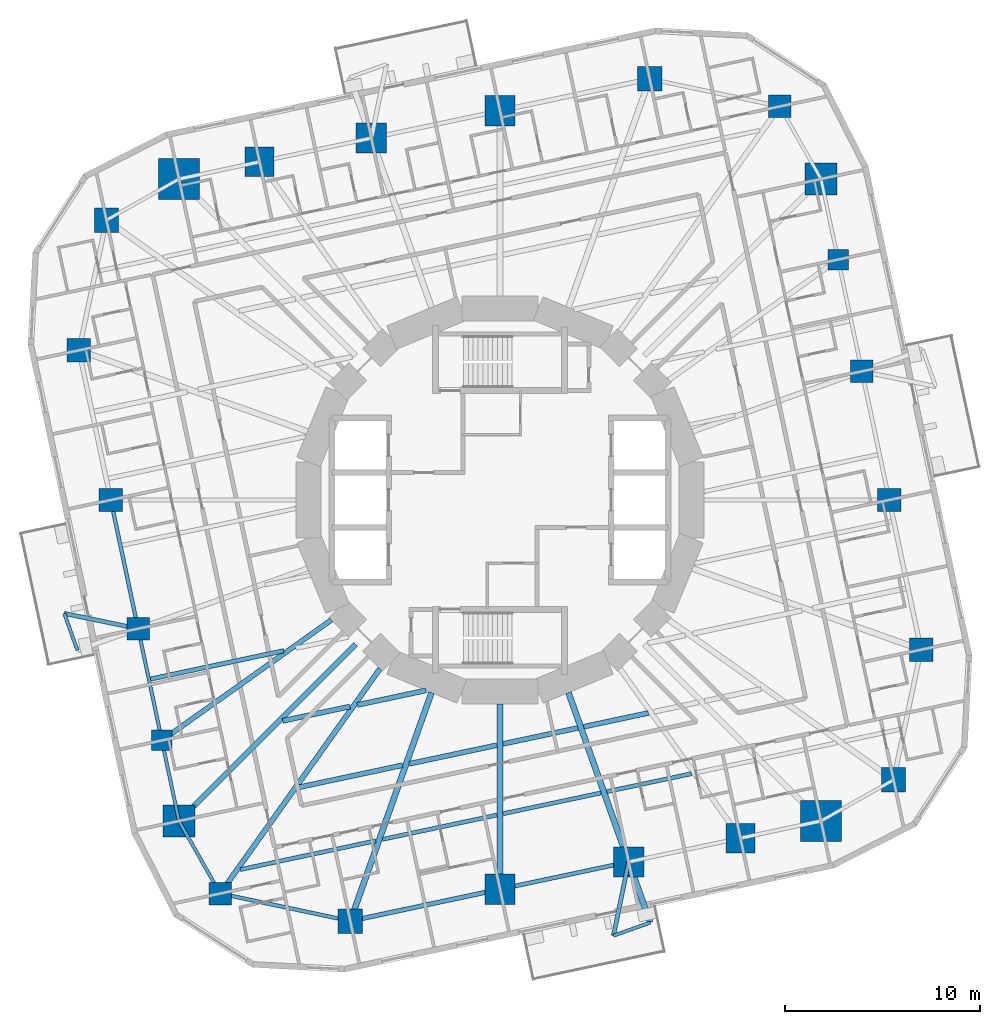
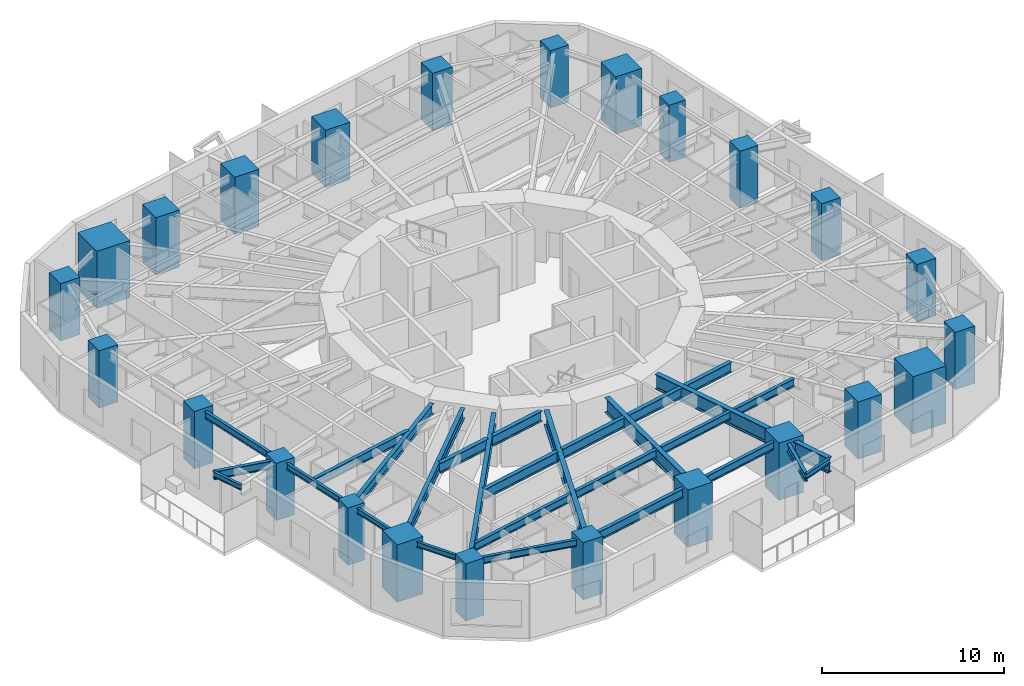
# One storey, part 1 of 14: 28 beams, 24 columns.
"""IFC4 building model written with IfcOpenShell, lengths in metres."""

from ifc_helpers import new_model, si_unit, direction, frame, origin, origin_2d, place, context, subcontext, project, spatial, rectangle, i_section, extrude, material, material_profile, profile_set, type_object, element, save


model = new_model("IFC4")

# Units and contexts
model_context = context("Model", 3, precision=1e-05, world=origin(), true_north=direction((0.0, 1.0)))
body_context = subcontext(model_context, "Body", "Model", "MODEL_VIEW")
ifc_project = project(units=[si_unit("LENGTHUNIT", "METRE"), si_unit("AREAUNIT", "SQUARE_METRE"), si_unit("VOLUMEUNIT", "CUBIC_METRE"), si_unit("PLANEANGLEUNIT", "RADIAN"), si_unit("MASSUNIT", "GRAM", prefix="KILO")], contexts=[model_context])

# Site, building, storey
site_placement = place(None, origin())
site = spatial("IfcSite", under=ifc_project, at=site_placement, CompositionType="ELEMENT")
building_placement = place(site_placement, origin())
building = spatial("IfcBuilding", under=site, at=building_placement, Name="Nakasero Lantern House", CompositionType="ELEMENT")
storey_placement = place(building_placement, frame((0.0, 0.0, 108.85009765625)))
storey = spatial("IfcBuildingStorey", under=building, at=storey_placement, Name="L26", CompositionType="ELEMENT", Elevation=108.85009765625)

# Columns
ifc_material_1 = material(Name="Concrete C50/60", Category="concrete")
ifc_material_profile_1 = material_profile(ifc_material_1, rectangle(XDim=1.64990234375, YDim=1.64990234375, at=origin_2d()), Name="RC 1650x1650")
ifc_profile_set_1 = profile_set([ifc_material_profile_1], Name="Concrete C50/60")
column_type_1 = type_object("IfcColumnType", Name="Mega column RC 1650x1650 C50/60", PredefinedType="COLUMN", material=ifc_profile_set_1)
for number, where, z_axis, x_axis, name in (
    (1, (16.44091796875, 16.44091796875, 0.0), (0.0, 0.0, 1.0), (1.0, 0.0, 0.0), "Column B3-C06 L26"),
    (2, (-16.44091796875, -16.44091796875, 0.0), (0.0, 0.0, 1.0), (1.0, 0.0, 0.0), "Column B3-C18 L26"),
):
    element("IfcColumn", number, at=place(storey_placement, frame(where, z_axis=z_axis, x_axis=x_axis)), inside=storey, type_object=column_type_1, Name=name, PredefinedType="COLUMN", context=body_context, shape_type="SweptSolid", body=[
        extrude(rectangle(XDim=1.64990234375, YDim=1.64990234375, at=origin_2d()), origin(), (0.0, 0.0, 1.0), 3.849853515625),
    ])
ifc_material_2 = material(Name="Concrete C50/60", Category="concrete")
ifc_material_profile_2 = material_profile(ifc_material_2, rectangle(XDim=2.10009765625, YDim=2.10009765625, at=origin_2d()), Name="RC 2100x2100")
ifc_profile_set_2 = profile_set([ifc_material_profile_2], Name="Concrete C50/60")
column_type_2 = type_object("IfcColumnType", Name="Mega column RC 2100x2100 C50/60", PredefinedType="COLUMN", material=ifc_profile_set_2)
for number, where, z_axis, x_axis, name in (
    (3, (-16.44091796875, 16.44091796875, 0.0), (0.0, 0.0, 1.0), (1.0, 0.0, 0.0), "Column B3-C12 L26"),
    (4, (16.44091796875, -16.44091796875, 0.0), (0.0, 0.0, 1.0), (1.0, 0.0, 0.0), "Column B3-C24 L26"),
):
    element("IfcColumn", number, at=place(storey_placement, frame(where, z_axis=z_axis, x_axis=x_axis)), inside=storey, type_object=column_type_2, Name=name, PredefinedType="COLUMN", context=body_context, shape_type="SweptSolid", body=[
        extrude(rectangle(XDim=2.10009765625, YDim=2.10009765625, at=origin_2d()), origin(), (0.0, 0.0, 1.0), 3.849853515625),
    ])
ifc_material_3 = material(Name="Concrete C50/60", Category="concrete")
ifc_material_profile_3 = material_profile(ifc_material_3, rectangle(XDim=1.050048828125, YDim=1.050048828125, at=origin_2d()), Name="RC 1050x1050")
ifc_profile_set_3 = profile_set([ifc_material_profile_3], Name="Concrete C50/60")
column_type_3 = type_object("IfcColumnType", Name="Ring column RC 1050x1050 C50/60", PredefinedType="COLUMN", material=ifc_profile_set_3)
for number, where, z_axis, x_axis, name in (
    (5, (17.318115234375, 12.31494140625, 0.0), (0.0, 0.0, 1.0), (1.0, 0.0, 0.0), "Column B3-C05 L26"),
    (6, (-17.318115234375, -12.31494140625, 0.0), (0.0, 0.0, 1.0), (1.0, 0.0, 0.0), "Column B3-C17 L26"),
):
    element("IfcColumn", number, at=place(storey_placement, frame(where, z_axis=z_axis, x_axis=x_axis)), inside=storey, type_object=column_type_3, Name=name, PredefinedType="COLUMN", context=body_context, shape_type="SweptSolid", body=[
        extrude(rectangle(XDim=1.050048828125, YDim=1.050048828125, at=origin_2d()), origin(), (0.0, 0.0, 1.0), 3.849853515625),
    ])
ifc_material_4 = material(Name="Concrete C50/60", Category="concrete")
ifc_material_profile_4 = material_profile(ifc_material_4, rectangle(XDim=1.14990234375, YDim=1.14990234375, at=origin_2d()), Name="RC 1150x1150")
ifc_profile_set_4 = profile_set([ifc_material_profile_4], Name="Concrete C50/60")
column_type_4 = type_object("IfcColumnType", Name="Ring column RC 1150x1150 C50/60", PredefinedType="COLUMN", material=ifc_profile_set_4)
for number, where, z_axis, x_axis, name in (
    (7, (18.534912109375, 6.590087890625, 0.0), (0.0, 0.0, 1.0), (1.0, 0.0, 0.0), "Column B3-C04 L26"),
    (8, (14.33349609375, 20.15625, 0.0), (0.0, 0.0, 1.0), (1.0, 0.0, 0.0), "Column B3-C07 L26"),
    (9, (-18.534912109375, -6.590087890625, 0.0), (0.0, 0.0, 1.0), (1.0, 0.0, 0.0), "Column B3-C16 L26"),
    (10, (-14.33349609375, -20.15625, 0.0), (0.0, 0.0, 1.0), (1.0, 0.0, 0.0), "Column B3-C19 L26"),
):
    element("IfcColumn", number, at=place(storey_placement, frame(where, z_axis=z_axis, x_axis=x_axis)), inside=storey, type_object=column_type_4, Name=name, PredefinedType="COLUMN", context=body_context, shape_type="SweptSolid", body=[
        extrude(rectangle(XDim=1.14990234375, YDim=1.14990234375, at=origin_2d()), origin(), (0.0, 0.0, 1.0), 3.849853515625),
    ])
ifc_material_5 = material(Name="Concrete C50/60", Category="concrete")
ifc_material_profile_5 = material_profile(ifc_material_5, rectangle(XDim=1.199951171875, YDim=1.199951171875, at=origin_2d()), Name="RC 1200x1200")
ifc_profile_set_5 = profile_set([ifc_material_profile_5], Name="Concrete C50/60")
column_type_5 = type_object("IfcColumnType", Name="Ring column RC 1200x1200 C50/60", PredefinedType="COLUMN", material=ifc_profile_set_5)
for number, where, z_axis, x_axis, name in (
    (11, (21.5654296875, -7.667724609375, 0.0), (0.0, 0.0, 1.0), (1.0, 0.0, 0.0), "Column B3-C02 L26"),
    (12, (19.935546875, 0.0, 0.0), (0.0, 0.0, 1.0), (1.0, 0.0, 0.0), "Column B3-C03 L26"),
    (13, (-21.5654296875, 7.667724609375, 0.0), (0.0, 0.0, 1.0), (1.0, 0.0, 0.0), "Column B3-C14 L26"),
    (14, (-19.935546875, 0.0, 0.0), (0.0, 0.0, 1.0), (1.0, 0.0, 0.0), "Column B3-C15 L26"),
):
    element("IfcColumn", number, at=place(storey_placement, frame(where, z_axis=z_axis, x_axis=x_axis)), inside=storey, type_object=column_type_5, Name=name, PredefinedType="COLUMN", context=body_context, shape_type="SweptSolid", body=[
        extrude(rectangle(XDim=1.199951171875, YDim=1.199951171875, at=origin_2d()), origin(), (0.0, 0.0, 1.0), 3.849853515625),
    ])
ifc_material_6 = material(Name="Concrete C50/60", Category="concrete")
ifc_material_profile_6 = material_profile(ifc_material_6, rectangle(XDim=1.25, YDim=1.25, at=origin_2d()), Name="RC 1250x1250")
ifc_profile_set_6 = profile_set([ifc_material_profile_6], Name="Concrete C50/60")
column_type_6 = type_object("IfcColumnType", Name="Ring column RC 1250x1250 C50/60", PredefinedType="COLUMN", material=ifc_profile_set_6)
for number, where, z_axis, x_axis, name in (
    (15, (20.15625, -14.33349609375, 0.0), (0.0, 0.0, 1.0), (1.0, 0.0, 0.0), "Column B3-C01 L26"),
    (16, (7.667724609375, 21.5654296875, 0.0), (0.0, 0.0, 1.0), (1.0, 0.0, 0.0), "Column B3-C08 L26"),
    (17, (-20.15625, 14.33349609375, 0.0), (0.0, 0.0, 1.0), (1.0, 0.0, 0.0), "Column B3-C13 L26"),
    (18, (-7.667724609375, -21.5654296875, 0.0), (0.0, 0.0, 1.0), (1.0, 0.0, 0.0), "Column B3-C20 L26"),
):
    element("IfcColumn", number, at=place(storey_placement, frame(where, z_axis=z_axis, x_axis=x_axis)), inside=storey, type_object=column_type_6, Name=name, PredefinedType="COLUMN", context=body_context, shape_type="SweptSolid", body=[
        extrude(rectangle(XDim=1.25, YDim=1.25, at=origin_2d()), origin(), (0.0, 0.0, 1.0), 3.849853515625),
    ])
ifc_material_7 = material(Name="Concrete C50/60", Category="concrete")
ifc_material_profile_7 = material_profile(ifc_material_7, rectangle(XDim=1.5, YDim=1.5, at=origin_2d()), Name="RC 1500x1500")
ifc_profile_set_7 = profile_set([ifc_material_profile_7], Name="Concrete C50/60")
column_type_7 = type_object("IfcColumnType", Name="Ring column RC 1500x1500 C50/60", PredefinedType="COLUMN", material=ifc_profile_set_7)
for number, where, z_axis, x_axis, name in (
    (19, (-12.31494140625, 17.318115234375, 0.0), (0.0, 0.0, 1.0), (1.0, 0.0, 0.0), "Column B3-C11 L26"),
    (20, (12.31494140625, -17.318115234375, 0.0), (0.0, 0.0, 1.0), (1.0, 0.0, 0.0), "Column B3-C23 L26"),
):
    element("IfcColumn", number, at=place(storey_placement, frame(where, z_axis=z_axis, x_axis=x_axis)), inside=storey, type_object=column_type_7, Name=name, PredefinedType="COLUMN", context=body_context, shape_type="SweptSolid", body=[
        extrude(rectangle(XDim=1.5, YDim=1.5, at=origin_2d()), origin(), (0.0, 0.0, 1.0), 3.849853515625),
    ])
ifc_material_8 = material(Name="Concrete C50/60", Category="concrete")
ifc_material_profile_8 = material_profile(ifc_material_8, rectangle(XDim=1.550048828125, YDim=1.550048828125, at=origin_2d()), Name="RC 1550x1550")
ifc_profile_set_8 = profile_set([ifc_material_profile_8], Name="Concrete C50/60")
column_type_8 = type_object("IfcColumnType", Name="Ring column RC 1550x1550 C50/60", PredefinedType="COLUMN", material=ifc_profile_set_8)
for number, where, z_axis, x_axis, name in (
    (21, (0.0, 19.935546875, 0.0), (0.0, 0.0, 1.0), (1.0, 0.0, 0.0), "Column B3-C09 L26"),
    (22, (-6.590087890625, 18.534912109375, 0.0), (0.0, 0.0, 1.0), (1.0, 0.0, 0.0), "Column B3-C10 L26"),
    (23, (0.0, -19.935546875, 0.0), (0.0, 0.0, 1.0), (1.0, 0.0, 0.0), "Column B3-C21 L26"),
    (24, (6.590087890625, -18.534912109375, 0.0), (0.0, 0.0, 1.0), (1.0, 0.0, 0.0), "Column B3-C22 L26"),
):
    element("IfcColumn", number, at=place(storey_placement, frame(where, z_axis=z_axis, x_axis=x_axis)), inside=storey, type_object=column_type_8, Name=name, PredefinedType="COLUMN", context=body_context, shape_type="SweptSolid", body=[
        extrude(rectangle(XDim=1.550048828125, YDim=1.550048828125, at=origin_2d()), origin(), (0.0, 0.0, 1.0), 3.849853515625),
    ])

# Beams
ifc_material_9 = material(Name="Steel S355", Category="steel")
ifc_material_profile_9 = material_profile(ifc_material_9, i_section(OverallWidth=0.2138671875, OverallDepth=0.549072265625, WebThickness=0.0146484375, FlangeThickness=0.023681640625, FilletRadius=0.0126953125, at=origin_2d()), Name="UB 533x210x138")
ifc_profile_set_9 = profile_set([ifc_material_profile_9], Name="Steel S355")
beam_type_1 = type_object("IfcBeamType", Name="Balcony splay beam UB 533x210x138", PredefinedType="BEAM", material=ifc_profile_set_9)
for number, where, z_axis, x_axis, name in (
    (25, (-18.534912109375, -6.590087890625, 3.375244140625), (-0.979420272605, 0.201831438605, 0.0), (-0.201831438605, -0.979420272605, 0.0), "Balcony splay beam L27 B3-C16A"),
    (26, (6.590087890625, -18.534912109375, 3.375244140625), (-0.201831438605, -0.979420272605, 0.0), (0.979420272605, -0.201831438605, 0.0), "Balcony splay beam L27 B3-C22A"),
):
    element("IfcBeam", number, at=place(storey_placement, frame(where, z_axis=z_axis, x_axis=x_axis)), inside=storey, type_object=beam_type_1, Name=name, PredefinedType="BEAM", context=body_context, shape_type="SweptSolid", body=[
        extrude(i_section(OverallWidth=0.2138671875, OverallDepth=0.549072265625, WebThickness=0.0146484375, FlangeThickness=0.023681640625, FilletRadius=0.0126953125, at=origin_2d()), origin(), (0.0, 0.0, 1.0), 3.858642578125),
    ])
ifc_material_10 = material(Name="Steel S355", Category="steel")
ifc_material_profile_10 = material_profile(ifc_material_10, i_section(OverallWidth=0.17138671875, OverallDepth=0.35498046875, WebThickness=0.00732421875, FlangeThickness=0.011474609375, FilletRadius=0.01025390625, at=origin_2d()), Name="UB 356x171x51")
ifc_profile_set_10 = profile_set([ifc_material_profile_10], Name="Steel S355")
beam_type_2 = type_object("IfcBeamType", Name="Balcony tie beam UB 356x171x51", PredefinedType="BEAM", material=ifc_profile_set_10)
for number, where, z_axis, x_axis, name in (
    (27, (-22.314208984375, -5.811279296875, 3.472412109375), (0.335060236487, -0.942196708721, 0.0), (0.942196708721, 0.335060236487, 0.0), "Balcony tie beam L27 B3-C16"),
    (28, (5.811279296875, -22.314208984375, 3.472412109375), (0.942196708721, 0.335060236487, 0.0), (-0.335060236487, 0.942196708721, 0.0), "Balcony tie beam L27 B3-C22"),
):
    element("IfcBeam", number, at=place(storey_placement, frame(where, z_axis=z_axis, x_axis=x_axis)), inside=storey, type_object=beam_type_2, Name=name, PredefinedType="BEAM", context=body_context, shape_type="SweptSolid", body=[
        extrude(i_section(OverallWidth=0.17138671875, OverallDepth=0.35498046875, WebThickness=0.00732421875, FlangeThickness=0.011474609375, FilletRadius=0.01025390625, at=origin_2d()), origin(), (0.0, 0.0, 1.0), 2.000244140625),
    ])
ifc_material_11 = material(Name="Steel S355", Category="steel")
ifc_material_profile_11 = material_profile(ifc_material_11, i_section(OverallWidth=0.2099609375, OverallDepth=0.53662109375, WebThickness=0.0107421875, FlangeThickness=0.017333984375, FilletRadius=0.0126953125, at=origin_2d()), Name="UB 533x210x101")
ifc_profile_set_11 = profile_set([ifc_material_profile_11], Name="Steel S355")
beam_type_3 = type_object("IfcBeamType", Name="Infill beam UB 533x210x101", PredefinedType="JOIST", material=ifc_profile_set_11)
beam_1_placement = place(storey_placement, frame((-13.29638671875, -18.927978515625, 3.381591796875), z_axis=(0.978149480204, 0.207902848411, 0.0), x_axis=(-0.207902848411, 0.978149480204, 0.0)))
element("IfcBeam", 29, at=beam_1_placement, inside=storey, type_object=beam_type_3, Name="Infill beam L27 03.1", PredefinedType="JOIST", context=body_context, shape_type="SweptSolid", body=[
    extrude(i_section(OverallWidth=0.2099609375, OverallDepth=0.53662109375, WebThickness=0.0107421875, FlangeThickness=0.017333984375, FilletRadius=0.0126953125, at=origin_2d()), origin(), (0.0, 0.0, 1.0), 7.085693359375),
])
beam_2_placement = place(storey_placement, frame((-6.02099609375, -17.381591796875, 3.381591796875), z_axis=(0.97814819896, 0.207908876365, 0.0), x_axis=(-0.207908876365, 0.97814819896, 0.0)))
element("IfcBeam", 30, at=beam_2_placement, inside=storey, type_object=beam_type_3, Name="Infill beam L27 03.2", PredefinedType="JOIST", context=body_context, shape_type="SweptSolid", body=[
    extrude(i_section(OverallWidth=0.2099609375, OverallDepth=0.53662109375, WebThickness=0.0107421875, FlangeThickness=0.017333984375, FilletRadius=0.0126953125, at=origin_2d()), origin(), (0.0, 0.0, 1.0), 6.00048828125),
])
beam_3_placement = place(storey_placement, frame((0.151611328125, -16.069580078125, 3.381591796875), z_axis=(0.978152445518, 0.207888896593, 0.0), x_axis=(-0.207888896593, 0.978152445518, 0.0)))
element("IfcBeam", 31, at=beam_3_placement, inside=storey, type_object=beam_type_3, Name="Infill beam L27 03.3", PredefinedType="JOIST", context=body_context, shape_type="SweptSolid", body=[
    extrude(i_section(OverallWidth=0.2099609375, OverallDepth=0.53662109375, WebThickness=0.0107421875, FlangeThickness=0.017333984375, FilletRadius=0.0126953125, at=origin_2d()), origin(), (0.0, 0.0, 1.0), 5.13427734375),
])
beam_4_placement = place(storey_placement, frame((5.471923828125, -14.938720703125, 3.381591796875), z_axis=(0.978149057111, 0.207904838982, 0.0), x_axis=(-0.207904838982, 0.978149057111, 0.0)))
element("IfcBeam", 32, at=beam_4_placement, inside=storey, type_object=beam_type_3, Name="Infill beam L27 03.4", PredefinedType="JOIST", context=body_context, shape_type="SweptSolid", body=[
    extrude(i_section(OverallWidth=0.2099609375, OverallDepth=0.53662109375, WebThickness=0.0107421875, FlangeThickness=0.017333984375, FilletRadius=0.0126953125, at=origin_2d()), origin(), (0.0, 0.0, 1.0), 4.435302734375),
])
ifc_material_12 = material(Name="Steel S355", Category="steel")
ifc_material_profile_12 = material_profile(ifc_material_12, i_section(OverallWidth=0.2275390625, OverallDepth=0.6025390625, WebThickness=0.010498046875, FlangeThickness=0.014892578125, FilletRadius=0.0126953125, at=origin_2d()), Name="UB 610x229x101")
ifc_profile_set_12 = profile_set([ifc_material_profile_12], Name="Steel S355")
beam_type_4 = type_object("IfcBeamType", Name="Infill beam UB 610x229x101", PredefinedType="JOIST", material=ifc_profile_set_12)
beam_5_placement = place(storey_placement, frame((-17.895263671875, -9.171142578125, 3.3486328125), z_axis=(0.978143535939, 0.207930813255, 0.0), x_axis=(-0.207930813255, 0.978143535939, 0.0)))
element("IfcBeam", 33, at=beam_5_placement, inside=storey, type_object=beam_type_4, Name="Infill beam L27 06.1", PredefinedType="JOIST", context=body_context, shape_type="SweptSolid", body=[
    extrude(i_section(OverallWidth=0.2275390625, OverallDepth=0.6025390625, WebThickness=0.010498046875, FlangeThickness=0.014892578125, FilletRadius=0.0126953125, at=origin_2d()), origin(), (0.0, 0.0, 1.0), 6.9697265625),
])
ifc_material_13 = material(Name="Steel S355", Category="steel")
ifc_material_profile_13 = material_profile(ifc_material_13, i_section(OverallWidth=0.253662109375, OverallDepth=0.68359375, WebThickness=0.012451171875, FlangeThickness=0.01904296875, FilletRadius=0.01513671875, at=origin_2d()), Name="UB 686x254x140")
ifc_profile_set_13 = profile_set([ifc_material_profile_13], Name="Steel S355")
beam_type_5 = type_object("IfcBeamType", Name="Infill beam UB 686x254x140", PredefinedType="JOIST", material=ifc_profile_set_13)
beam_6_placement = place(storey_placement, frame((-10.298828125, -14.712646484375, 3.30810546875), z_axis=(0.978155764637, 0.207873278962, 0.0), x_axis=(-0.207873278962, 0.978155764637, 0.0)))
element("IfcBeam", 34, at=beam_6_placement, inside=storey, type_object=beam_type_5, Name="Infill beam L27 04.1", PredefinedType="JOIST", context=body_context, shape_type="SweptSolid", body=[
    extrude(i_section(OverallWidth=0.253662109375, OverallDepth=0.68359375, WebThickness=0.012451171875, FlangeThickness=0.01904296875, FilletRadius=0.01513671875, at=origin_2d()), origin(), (0.0, 0.0, 1.0), 5.428466796875),
])
beam_7_placement = place(storey_placement, frame((-4.644775390625, -13.510986328125, 3.30810546875), z_axis=(0.978146422144, 0.20791723557, 0.0), x_axis=(-0.20791723557, 0.978146422144, 0.0)))
element("IfcBeam", 35, at=beam_7_placement, inside=storey, type_object=beam_type_5, Name="Infill beam L27 04.2", PredefinedType="JOIST", context=body_context, shape_type="SweptSolid", body=[
    extrude(i_section(OverallWidth=0.253662109375, OverallDepth=0.68359375, WebThickness=0.012451171875, FlangeThickness=0.01904296875, FilletRadius=0.01513671875, at=origin_2d()), origin(), (0.0, 0.0, 1.0), 4.593505859375),
])
beam_8_placement = place(storey_placement, frame((0.151611328125, -12.491455078125, 3.30810546875), z_axis=(0.978143356538, 0.207931657186, 0.0), x_axis=(-0.207931657186, 0.978143356538, 0.0)))
element("IfcBeam", 36, at=beam_8_placement, inside=storey, type_object=beam_type_5, Name="Infill beam L27 04.3", PredefinedType="JOIST", context=body_context, shape_type="SweptSolid", body=[
    extrude(i_section(OverallWidth=0.253662109375, OverallDepth=0.68359375, WebThickness=0.012451171875, FlangeThickness=0.01904296875, FilletRadius=0.01513671875, at=origin_2d()), origin(), (0.0, 0.0, 1.0), 3.925048828125),
])
beam_9_placement = place(storey_placement, frame((4.2890625, -11.612060546875, 3.30810546875), z_axis=(0.978143084163, 0.207932938478, 0.0), x_axis=(-0.207932938478, 0.978143084163, 0.0)))
element("IfcBeam", 37, at=beam_9_placement, inside=storey, type_object=beam_type_5, Name="Infill beam L27 04.4", PredefinedType="JOIST", context=body_context, shape_type="SweptSolid", body=[
    extrude(i_section(OverallWidth=0.253662109375, OverallDepth=0.68359375, WebThickness=0.012451171875, FlangeThickness=0.01904296875, FilletRadius=0.01513671875, at=origin_2d()), origin(), (0.0, 0.0, 1.0), 3.385009765625),
])
ifc_material_14 = material(Name="Steel S355", Category="steel")
ifc_material_profile_14 = material_profile(ifc_material_14, i_section(OverallWidth=0.255859375, OverallDepth=0.69287109375, WebThickness=0.014404296875, FlangeThickness=0.023681640625, FilletRadius=0.01513671875, at=origin_2d()), Name="UB 686x254x170")
ifc_profile_set_14 = profile_set([ifc_material_profile_14], Name="Steel S355")
beam_type_6 = type_object("IfcBeamType", Name="Infill beam UB 686x254x170", PredefinedType="JOIST", material=ifc_profile_set_14)
beam_10_placement = place(storey_placement, frame((-11.13232421875, -11.311767578125, 3.303466796875), z_axis=(0.97814493323, 0.20792424004, 0.0), x_axis=(-0.20792424004, 0.97814493323, 0.0)))
element("IfcBeam", 38, at=beam_10_placement, inside=storey, type_object=beam_type_6, Name="Infill beam L27 05.1", PredefinedType="JOIST", context=body_context, shape_type="SweptSolid", body=[
    extrude(i_section(OverallWidth=0.255859375, OverallDepth=0.69287109375, WebThickness=0.014404296875, FlangeThickness=0.023681640625, FilletRadius=0.01513671875, at=origin_2d()), origin(), (0.0, 0.0, 1.0), 3.5224609375),
])
beam_11_placement = place(storey_placement, frame((-7.30126953125, -10.497314453125, 3.303466796875), z_axis=(0.978149176892, 0.207904275439, 0.0), x_axis=(-0.207904275439, 0.978149176892, 0.0)))
element("IfcBeam", 39, at=beam_11_placement, inside=storey, type_object=beam_type_6, Name="Infill beam L27 05.2", PredefinedType="JOIST", context=body_context, shape_type="SweptSolid", body=[
    extrude(i_section(OverallWidth=0.255859375, OverallDepth=0.69287109375, WebThickness=0.014404296875, FlangeThickness=0.023681640625, FilletRadius=0.01513671875, at=origin_2d()), origin(), (0.0, 0.0, 1.0), 3.59228515625),
])
ifc_material_15 = material(Name="Steel S355", Category="steel")
ifc_material_profile_15 = material_profile(ifc_material_15, i_section(OverallWidth=0.300048828125, OverallDepth=0.989990234375, WebThickness=0.0166015625, FlangeThickness=0.031005859375, FilletRadius=0.030029296875, at=origin_2d()), Name="UB 1016x305x272")
ifc_profile_set_15 = profile_set([ifc_material_profile_15], Name="Steel S355")
beam_type_7 = type_object("IfcBeamType", Name="Primary beam UB 1016x305x272, span 12 to 15 m", PredefinedType="BEAM", material=ifc_profile_set_15)
beam_12_placement = place(storey_placement, frame((-7.667724609375, -21.5654296875, 3.15478515625), z_axis=(0.335011995103, 0.942213862739, 0.0), x_axis=(-0.942213862739, 0.335011995103, 0.0)))
element("IfcBeam", 40, at=beam_12_placement, inside=storey, type_object=beam_type_7, Name="Primary beam L27 B3-C20", PredefinedType="BEAM", context=body_context, shape_type="SweptSolid", body=[
    extrude(i_section(OverallWidth=0.300048828125, OverallDepth=0.989990234375, WebThickness=0.0166015625, FlangeThickness=0.031005859375, FilletRadius=0.030029296875, at=origin_2d()), origin(), (0.0, 0.0, 1.0), 12.41650390625),
])
ifc_material_16 = material(Name="Steel S355", Category="steel")
ifc_material_profile_16 = material_profile(ifc_material_16, i_section(OverallWidth=0.302001953125, OverallDepth=1.008056640625, WebThickness=0.02099609375, FlangeThickness=0.0400390625, FilletRadius=0.030029296875, at=origin_2d()), Name="UB 1016x305x349")
ifc_profile_set_16 = profile_set([ifc_material_profile_16], Name="Steel S355")
beam_type_8 = type_object("IfcBeamType", Name="Primary beam UB 1016x305x349, span 9 to 12 m", PredefinedType="BEAM", material=ifc_profile_set_16)
beam_13_placement = place(storey_placement, frame((7.69580078125, -21.64404296875, 3.145751953125), z_axis=(-0.335020841845, 0.942210717159, 0.0), x_axis=(-0.942210717159, -0.335020841845, 0.0)))
element("IfcBeam", 41, at=beam_13_placement, inside=storey, type_object=beam_type_8, Name="Primary beam L27 B3-C22", PredefinedType="BEAM", context=body_context, shape_type="SweptSolid", body=[
    extrude(i_section(OverallWidth=0.302001953125, OverallDepth=1.008056640625, WebThickness=0.02099609375, FlangeThickness=0.0400390625, FilletRadius=0.030029296875, at=origin_2d()), origin(), (0.0, 0.0, 1.0), 12.5),
])
ifc_material_17 = material(Name="Steel S355", Category="steel")
ifc_material_profile_17 = material_profile(ifc_material_17, i_section(OverallWidth=0.302978515625, OverallDepth=1.015869140625, WebThickness=0.0244140625, FlangeThickness=0.0439453125, FilletRadius=0.030029296875, at=origin_2d()), Name="UB 1016x305x393")
ifc_profile_set_17 = profile_set([ifc_material_profile_17], Name="Steel S355")
beam_type_9 = type_object("IfcBeamType", Name="Primary beam UB 1016x305x393, span 9 to 12 m", PredefinedType="BEAM", material=ifc_profile_set_17)
beam_14_placement = place(storey_placement, frame((0.0, -19.935546875, 3.141845703125), z_axis=(0.0, 1.0, 0.0), x_axis=(-1.0, 0.0, 0.0)))
element("IfcBeam", 42, at=beam_14_placement, inside=storey, type_object=beam_type_9, Name="Primary beam L27 B3-C21", PredefinedType="BEAM", context=body_context, shape_type="SweptSolid", body=[
    extrude(i_section(OverallWidth=0.302978515625, OverallDepth=1.015869140625, WebThickness=0.0244140625, FlangeThickness=0.0439453125, FilletRadius=0.030029296875, at=origin_2d()), origin(), (0.0, 0.0, 1.0), 9.477783203125),
])
ifc_material_18 = material(Name="Steel S355", Category="steel")
ifc_material_profile_18 = material_profile(ifc_material_18, i_section(OverallWidth=0.253662109375, OverallDepth=0.68359375, WebThickness=0.012451171875, FlangeThickness=0.01904296875, FilletRadius=0.01513671875, at=origin_2d()), Name="UB 686x254x140")
ifc_profile_set_18 = profile_set([ifc_material_profile_18], Name="Steel S355")
beam_type_10 = type_object("IfcBeamType", Name="Primary beam UB 686x254x140, span 12 to 15 m", PredefinedType="BEAM", material=ifc_profile_set_18)
beam_15_placement = place(storey_placement, frame((-16.44091796875, -16.44091796875, 3.30810546875), z_axis=(0.707106781187, 0.707106781187, 0.0), x_axis=(-0.707106781187, 0.707106781187, 0.0)))
element("IfcBeam", 43, at=beam_15_placement, inside=storey, type_object=beam_type_10, Name="Primary beam L27 B3-C18", PredefinedType="BEAM", context=body_context, shape_type="SweptSolid", body=[
    extrude(i_section(OverallWidth=0.253662109375, OverallDepth=0.68359375, WebThickness=0.012451171875, FlangeThickness=0.01904296875, FilletRadius=0.01513671875, at=origin_2d()), origin(), (0.0, 0.0, 1.0), 12.793212890625),
])
ifc_material_19 = material(Name="Steel S355", Category="steel")
ifc_material_profile_19 = material_profile(ifc_material_19, i_section(OverallWidth=0.253662109375, OverallDepth=0.68359375, WebThickness=0.012451171875, FlangeThickness=0.01904296875, FilletRadius=0.01513671875, at=origin_2d()), Name="UB 686x254x140")
ifc_profile_set_19 = profile_set([ifc_material_profile_19], Name="Steel S355")
beam_type_11 = type_object("IfcBeamType", Name="Primary beam UB 686x254x140, span 9 to 12 m", PredefinedType="BEAM", material=ifc_profile_set_19)
beam_16_placement = place(storey_placement, frame((-17.318115234375, -12.31494140625, 3.30810546875), z_axis=(0.814957491022, 0.579520739774, 0.0), x_axis=(-0.579520739774, 0.814957491022, 0.0)))
element("IfcBeam", 44, at=beam_16_placement, inside=storey, type_object=beam_type_11, Name="Primary beam L27 B3-C17", PredefinedType="BEAM", context=body_context, shape_type="SweptSolid", body=[
    extrude(i_section(OverallWidth=0.253662109375, OverallDepth=0.68359375, WebThickness=0.012451171875, FlangeThickness=0.01904296875, FilletRadius=0.01513671875, at=origin_2d()), origin(), (0.0, 0.0, 1.0), 10.64453125),
])
ifc_material_20 = material(Name="Steel S355", Category="steel")
ifc_material_profile_20 = material_profile(ifc_material_20, i_section(OverallWidth=0.2666015625, OverallDepth=0.76220703125, WebThickness=0.014404296875, FlangeThickness=0.021484375, FilletRadius=0.0166015625, at=origin_2d()), Name="UB 762x267x173")
ifc_profile_set_20 = profile_set([ifc_material_profile_20], Name="Steel S355")
beam_type_12 = type_object("IfcBeamType", Name="Primary beam UB 762x267x173, span 12 to 15 m", PredefinedType="BEAM", material=ifc_profile_set_20)
beam_17_placement = place(storey_placement, frame((-14.33349609375, -20.15625, 3.268798828125), z_axis=(0.57953679421, 0.814946074386, 0.0), x_axis=(-0.814946074386, 0.57953679421, 0.0)))
element("IfcBeam", 45, at=beam_17_placement, inside=storey, type_object=beam_type_12, Name="Primary beam L27 B3-C19", PredefinedType="BEAM", context=body_context, shape_type="SweptSolid", body=[
    extrude(i_section(OverallWidth=0.2666015625, OverallDepth=0.76220703125, WebThickness=0.014404296875, FlangeThickness=0.021484375, FilletRadius=0.0166015625, at=origin_2d()), origin(), (0.0, 0.0, 1.0), 14.127197265625),
])
ifc_material_21 = material(Name="Steel S355", Category="steel")
ifc_material_profile_21 = material_profile(ifc_material_21, i_section(OverallWidth=0.17138671875, OverallDepth=0.35498046875, WebThickness=0.00732421875, FlangeThickness=0.011474609375, FilletRadius=0.01025390625, at=origin_2d()), Name="UB 356x171x51")
ifc_profile_set_21 = profile_set([ifc_material_profile_21], Name="Steel S355")
beam_type_13 = type_object("IfcBeamType", Name="Ring beam UB 356x171x51", PredefinedType="BEAM", material=ifc_profile_set_21)
beam_18_placement = place(storey_placement, frame((-17.318115234375, -12.31494140625, 3.472412109375), z_axis=(0.207955665195, -0.978138252658, 0.0), x_axis=(0.978138252658, 0.207955665195, 0.0)))
element("IfcBeam", 46, at=beam_18_placement, inside=storey, type_object=beam_type_13, Name="Ring beam L27 B3-C17", PredefinedType="BEAM", context=body_context, shape_type="SweptSolid", body=[
    extrude(i_section(OverallWidth=0.17138671875, OverallDepth=0.35498046875, WebThickness=0.00732421875, FlangeThickness=0.011474609375, FilletRadius=0.01025390625, at=origin_2d()), origin(), (0.0, 0.0, 1.0), 4.21826171875),
])
beam_19_placement = place(storey_placement, frame((-16.44091796875, -16.44091796875, 3.472412109375), z_axis=(0.493378832737, -0.869814536213, 0.0), x_axis=(0.869814536213, 0.493378832737, 0.0)))
element("IfcBeam", 47, at=beam_19_placement, inside=storey, type_object=beam_type_13, Name="Ring beam L27 B3-C18", PredefinedType="BEAM", context=body_context, shape_type="SweptSolid", body=[
    extrude(i_section(OverallWidth=0.17138671875, OverallDepth=0.35498046875, WebThickness=0.00732421875, FlangeThickness=0.011474609375, FilletRadius=0.01025390625, at=origin_2d()), origin(), (0.0, 0.0, 1.0), 4.271484375),
])
ifc_material_22 = material(Name="Steel S355", Category="steel")
ifc_material_profile_22 = material_profile(ifc_material_22, i_section(OverallWidth=0.177978515625, OverallDepth=0.406494140625, WebThickness=0.0078125, FlangeThickness=0.0126953125, FilletRadius=0.01025390625, at=origin_2d()), Name="UB 406x178x60")
ifc_profile_set_22 = profile_set([ifc_material_profile_22], Name="Steel S355")
beam_type_14 = type_object("IfcBeamType", Name="Ring beam UB 406x178x60", PredefinedType="BEAM", material=ifc_profile_set_22)
beam_20_placement = place(storey_placement, frame((-18.534912109375, -6.590087890625, 3.44677734375), z_axis=(0.207902159541, -0.978149626621, 0.0), x_axis=(0.978149626621, 0.207902159541, 0.0)))
element("IfcBeam", 48, at=beam_20_placement, inside=storey, type_object=beam_type_14, Name="Ring beam L27 B3-C16", PredefinedType="BEAM", context=body_context, shape_type="SweptSolid", body=[
    extrude(i_section(OverallWidth=0.177978515625, OverallDepth=0.406494140625, WebThickness=0.0078125, FlangeThickness=0.0126953125, FilletRadius=0.01025390625, at=origin_2d()), origin(), (0.0, 0.0, 1.0), 5.852783203125),
])
ifc_material_23 = material(Name="Steel S355", Category="steel")
ifc_material_profile_23 = material_profile(ifc_material_23, i_section(OverallWidth=0.19140625, OverallDepth=0.4599609375, WebThickness=0.010009765625, FlangeThickness=0.01611328125, FilletRadius=0.01025390625, at=origin_2d()), Name="UB 457x191x82")
ifc_profile_set_23 = profile_set([ifc_material_profile_23], Name="Steel S355")
beam_type_15 = type_object("IfcBeamType", Name="Ring beam UB 457x191x82", PredefinedType="BEAM", material=ifc_profile_set_23)
beam_21_placement = place(storey_placement, frame((-19.935546875, 0.0, 3.419921875), z_axis=(0.20789299389, -0.978151574702, 0.0), x_axis=(0.978151574702, 0.20789299389, 0.0)))
element("IfcBeam", 49, at=beam_21_placement, inside=storey, type_object=beam_type_15, Name="Ring beam L27 B3-C15", PredefinedType="BEAM", context=body_context, shape_type="SweptSolid", body=[
    extrude(i_section(OverallWidth=0.19140625, OverallDepth=0.4599609375, WebThickness=0.010009765625, FlangeThickness=0.01611328125, FilletRadius=0.01025390625, at=origin_2d()), origin(), (0.0, 0.0, 1.0), 6.7373046875),
])
beam_22_placement = place(storey_placement, frame((-14.33349609375, -20.15625, 3.419921875), z_axis=(0.978376066473, -0.206833925052, 0.0), x_axis=(0.206833925052, 0.978376066473, 0.0)))
element("IfcBeam", 50, at=beam_22_placement, inside=storey, type_object=beam_type_15, Name="Ring beam L27 B3-C19", PredefinedType="BEAM", context=body_context, shape_type="SweptSolid", body=[
    extrude(i_section(OverallWidth=0.19140625, OverallDepth=0.4599609375, WebThickness=0.010009765625, FlangeThickness=0.01611328125, FilletRadius=0.01025390625, at=origin_2d()), origin(), (0.0, 0.0, 1.0), 6.81298828125),
])
ifc_material_24 = material(Name="Steel S355", Category="steel")
ifc_material_profile_24 = material_profile(ifc_material_24, i_section(OverallWidth=0.2099609375, OverallDepth=0.53662109375, WebThickness=0.0107421875, FlangeThickness=0.017333984375, FilletRadius=0.0126953125, at=origin_2d()), Name="UB 533x210x101")
ifc_profile_set_24 = profile_set([ifc_material_profile_24], Name="Steel S355")
beam_type_16 = type_object("IfcBeamType", Name="Ring beam UB 533x210x101", PredefinedType="BEAM", material=ifc_profile_set_24)
beam_23_placement = place(storey_placement, frame((0.0, -19.935546875, 3.381591796875), z_axis=(0.978151574702, 0.20789299389, 0.0), x_axis=(-0.20789299389, 0.978151574702, 0.0)))
element("IfcBeam", 51, at=beam_23_placement, inside=storey, type_object=beam_type_16, Name="Ring beam L27 B3-C21", PredefinedType="BEAM", context=body_context, shape_type="SweptSolid", body=[
    extrude(i_section(OverallWidth=0.2099609375, OverallDepth=0.53662109375, WebThickness=0.0107421875, FlangeThickness=0.017333984375, FilletRadius=0.0126953125, at=origin_2d()), origin(), (0.0, 0.0, 1.0), 6.7373046875),
])
ifc_material_25 = material(Name="Steel S355", Category="steel")
ifc_material_profile_25 = material_profile(ifc_material_25, i_section(OverallWidth=0.22900390625, OverallDepth=0.6123046875, WebThickness=0.011962890625, FlangeThickness=0.01953125, FilletRadius=0.0126953125, at=origin_2d()), Name="UB 610x229x125")
ifc_profile_set_25 = profile_set([ifc_material_profile_25], Name="Steel S355")
beam_type_17 = type_object("IfcBeamType", Name="Ring beam UB 610x229x125", PredefinedType="BEAM", material=ifc_profile_set_25)
beam_24_placement = place(storey_placement, frame((-7.667724609375, -21.5654296875, 3.34375), z_axis=(0.978146105516, 0.207918725139, 0.0), x_axis=(-0.207918725139, 0.978146105516, 0.0)))
element("IfcBeam", 52, at=beam_24_placement, inside=storey, type_object=beam_type_17, Name="Ring beam L27 B3-C20", PredefinedType="BEAM", context=body_context, shape_type="SweptSolid", body=[
    extrude(i_section(OverallWidth=0.22900390625, OverallDepth=0.6123046875, WebThickness=0.011962890625, FlangeThickness=0.01953125, FilletRadius=0.0126953125, at=origin_2d()), origin(), (0.0, 0.0, 1.0), 7.839111328125),
])

save(model, "model.ifc")
